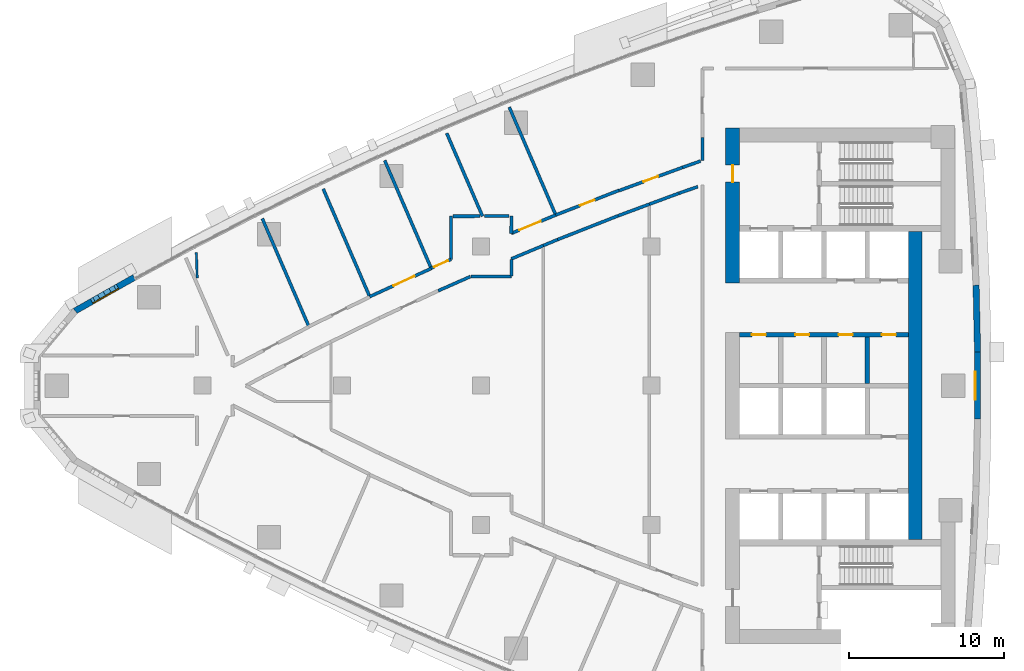
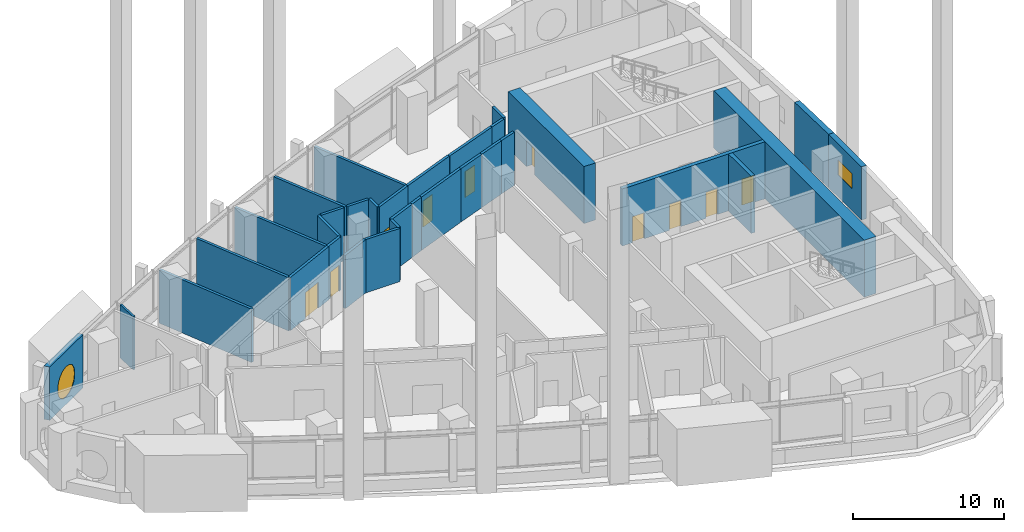
# One storey, part 10 of 17: 33 walls, 10 doors, 2 windows, 12 openings.
"""IFC4 building model written with IfcOpenShell, lengths in metres."""

from ifc_helpers import new_model, si_unit, direction, frame, frame_2d, origin, place, context, subcontext, project, spatial, polyline, rectangle, outline, extrude, material, layer, layer_set, type_object, element, fill, save


model = new_model("IFC4")

# Units and contexts
model_context = context("Model", 3, precision=1e-05, world=origin(), true_north=direction((0.0, 1.0)))
body_context = subcontext(model_context, "Body", "Model", "MODEL_VIEW")
ifc_project = project(units=[si_unit("LENGTHUNIT", "METRE"), si_unit("AREAUNIT", "SQUARE_METRE"), si_unit("VOLUMEUNIT", "CUBIC_METRE"), si_unit("PLANEANGLEUNIT", "RADIAN"), si_unit("MASSUNIT", "GRAM", prefix="KILO")], contexts=[model_context])

# Site, building, storey
site_placement = place(None, origin())
site = spatial("IfcSite", under=ifc_project, at=site_placement, CompositionType="ELEMENT")
building_placement = place(site_placement, origin())
building = spatial("IfcBuilding", under=site, at=building_placement, Name="Ostrand Prow Hotel Tower", CompositionType="ELEMENT")
storey_placement = place(building_placement, frame((0.0, 0.0, 125.60009765625)))
storey = spatial("IfcBuildingStorey", under=building, at=storey_placement, Name="L30", CompositionType="ELEMENT", Elevation=125.60009765625)

# Wall, openings, doors
ifc_material_1 = material(Name="Concrete C70/85", Category="concrete")
ifc_layer_1 = layer(ifc_material_1, 0.300048828125)
ifc_layer_set_1 = layer_set([ifc_layer_1], Name="Concrete C70/85")
wall_type_1 = type_object("IfcWallType", Name="Core wall 300 C70/85", PredefinedType="SHEAR", material=ifc_layer_set_1)
wall_1_placement = place(storey_placement, frame((50.699951171875, 3.300048828125, 0.0), z_axis=(0.0, 0.0, 1.0), x_axis=(1.0, 0.0, 0.0)))
wall_1 = element("IfcWall", 1, at=wall_1_placement, inside=storey, type_object=wall_type_1, Name="Core wall PW-L1-N", PredefinedType="SHEAR", context=body_context, shape_type="SweptSolid", body=[
    extrude(rectangle(XDim=10.900146484375, YDim=0.300048828125, at=frame_2d((5.4501953125, 0.0))), origin(), (0.0, 0.0, 1.0), 4.599853515625),
])
opening_1_placement = place(wall_1_placement, frame((0.800048828125, 0.0, 0.0)))
opening_1 = element("IfcOpeningElement", 2, at=opening_1_placement, cuts=wall_1, Name="Opening FD2", PredefinedType="OPENING", context=body_context, shape_type="SweptSolid", body=[
    extrude(rectangle(XDim=0.89990234375, YDim=2.10009765625, at=frame_2d((0.449951171875, 1.050048828125))), frame((0.0, 0.159912109375, 0.0), z_axis=(0.0, -1.0, 0.0), x_axis=(1.0, 0.0, 0.0)), (0.0, 0.0, 1.0), 0.320068359375),
])
opening_2_placement = place(wall_1_placement, frame((3.60009765625, 0.0, 0.0)))
opening_2 = element("IfcOpeningElement", 3, at=opening_2_placement, cuts=wall_1, Name="Opening FD2", PredefinedType="OPENING", context=body_context, shape_type="SweptSolid", body=[
    extrude(rectangle(XDim=0.89990234375, YDim=2.10009765625, at=frame_2d((0.449951171875, 1.050048828125))), frame((0.0, 0.159912109375, 0.0), z_axis=(0.0, -1.0, 0.0), x_axis=(1.0, 0.0, 0.0)), (0.0, 0.0, 1.0), 0.320068359375),
])
opening_3_placement = place(wall_1_placement, frame((6.39990234375, 0.0, 0.0)))
opening_3 = element("IfcOpeningElement", 4, at=opening_3_placement, cuts=wall_1, Name="Opening FD2", PredefinedType="OPENING", context=body_context, shape_type="SweptSolid", body=[
    extrude(rectangle(XDim=0.89990234375, YDim=2.10009765625, at=frame_2d((0.449951171875, 1.050048828125))), frame((0.0, 0.159912109375, 0.0), z_axis=(0.0, -1.0, 0.0), x_axis=(1.0, 0.0, 0.0)), (0.0, 0.0, 1.0), 0.320068359375),
])
opening_4_placement = place(wall_1_placement, frame((9.199951171875, 0.0, 0.0)))
opening_4 = element("IfcOpeningElement", 5, at=opening_4_placement, cuts=wall_1, Name="Opening FD2", PredefinedType="OPENING", context=body_context, shape_type="SweptSolid", body=[
    extrude(rectangle(XDim=0.89990234375, YDim=2.10009765625, at=frame_2d((0.449951171875, 1.050048828125))), frame((0.0, 0.159912109375, 0.0), z_axis=(0.0, -1.0, 0.0), x_axis=(1.0, 0.0, 0.0)), (0.0, 0.0, 1.0), 0.320068359375),
])
ifc_material_2 = material(Name="Steel fire door", Category="steel")
door_type_1 = type_object("IfcDoorType", Name="Fire door 900 EI120", OperationType="SINGLE_SWING_LEFT", PredefinedType="DOOR", material=ifc_material_2)
door_1_placement = place(opening_1_placement, origin())
door_1 = element("IfcDoor", 6, at=door_1_placement, inside=storey, type_object=door_type_1, Name="DOOR", OperationType="SINGLE_SWING_LEFT", OverallHeight=2.10009765625, OverallWidth=0.89990234375, PredefinedType="DOOR", context=body_context, shape_type="SweptSolid", body=[
    extrude(rectangle(XDim=0.89990234375, YDim=2.10009765625, at=frame_2d((0.449951171875, 1.050048828125))), frame((0.0, 0.02490234375, 0.0), z_axis=(0.0, -1.0, 0.0), x_axis=(1.0, 0.0, 0.0)), (0.0, 0.0, 1.0), 0.050048828125),
])
fill(opening_1, door_1)
door_2_placement = place(opening_2_placement, origin())
door_2 = element("IfcDoor", 7, at=door_2_placement, inside=storey, type_object=door_type_1, Name="DOOR", OperationType="SINGLE_SWING_LEFT", OverallHeight=2.10009765625, OverallWidth=0.89990234375, PredefinedType="DOOR", context=body_context, shape_type="SweptSolid", body=[
    extrude(rectangle(XDim=0.89990234375, YDim=2.10009765625, at=frame_2d((0.449951171875, 1.050048828125))), frame((0.0, 0.02490234375, 0.0), z_axis=(0.0, -1.0, 0.0), x_axis=(1.0, 0.0, 0.0)), (0.0, 0.0, 1.0), 0.050048828125),
])
fill(opening_2, door_2)
door_3_placement = place(opening_3_placement, origin())
door_3 = element("IfcDoor", 8, at=door_3_placement, inside=storey, type_object=door_type_1, Name="DOOR", OperationType="SINGLE_SWING_LEFT", OverallHeight=2.10009765625, OverallWidth=0.89990234375, PredefinedType="DOOR", context=body_context, shape_type="SweptSolid", body=[
    extrude(rectangle(XDim=0.89990234375, YDim=2.10009765625, at=frame_2d((0.449951171875, 1.050048828125))), frame((0.0, 0.02490234375, 0.0), z_axis=(0.0, -1.0, 0.0), x_axis=(1.0, 0.0, 0.0)), (0.0, 0.0, 1.0), 0.050048828125),
])
fill(opening_3, door_3)
door_4_placement = place(opening_4_placement, origin())
door_4 = element("IfcDoor", 9, at=door_4_placement, inside=storey, type_object=door_type_1, Name="DOOR", OperationType="SINGLE_SWING_LEFT", OverallHeight=2.10009765625, OverallWidth=0.89990234375, PredefinedType="DOOR", context=body_context, shape_type="SweptSolid", body=[
    extrude(rectangle(XDim=0.89990234375, YDim=2.10009765625, at=frame_2d((0.449951171875, 1.050048828125))), frame((0.0, 0.02490234375, 0.0), z_axis=(0.0, -1.0, 0.0), x_axis=(1.0, 0.0, 0.0)), (0.0, 0.0, 1.0), 0.050048828125),
])
fill(opening_4, door_4)

# Wall
wall_2_placement = place(storey_placement, frame((58.949951171875, 0.14990234375, 0.0), z_axis=(0.0, 0.0, 1.0), x_axis=(0.0, 1.0, 0.0)))
element("IfcWall", 10, at=wall_2_placement, inside=storey, type_object=wall_type_1, Name="Core wall PW-R3-NB", PredefinedType="SHEAR", context=body_context, shape_type="SweptSolid", body=[
    extrude(rectangle(XDim=3.0, YDim=0.300048828125, at=frame_2d((1.5, 0.0))), origin(), (0.0, 0.0, 1.0), 4.599853515625),
])

# Wall, opening, door
ifc_material_3 = material(Name="Concrete C70/85", Category="concrete")
ifc_layer_2 = layer(ifc_material_3, 0.89990234375)
ifc_layer_set_2 = layer_set([ifc_layer_2], Name="Concrete C70/85")
wall_type_2 = type_object("IfcWallType", Name="Core wall 900 C70/85", PredefinedType="SHEAR", material=ifc_layer_set_2)
wall_3_placement = place(storey_placement, frame((50.25, 6.64990234375, 0.0), z_axis=(0.0, 0.0, 1.0), x_axis=(0.0, 1.0, 0.0)))
wall_3 = element("IfcWall", 11, at=wall_3_placement, inside=storey, type_object=wall_type_2, Name="Core wall CW-W-N", PredefinedType="SHEAR", context=body_context, shape_type="SweptSolid", body=[
    extrude(rectangle(XDim=10.0, YDim=0.89990234375, at=frame_2d((5.0, 0.0))), origin(), (0.0, 0.0, 1.0), 4.599853515625),
])
opening_5_placement = place(wall_3_placement, frame((6.5, 0.0, 0.0)))
opening_5 = element("IfcOpeningElement", 12, at=opening_5_placement, cuts=wall_3, Name="Opening FD1", PredefinedType="OPENING", context=body_context, shape_type="SweptSolid", body=[
    extrude(rectangle(XDim=1.10009765625, YDim=2.10009765625, at=frame_2d((0.550048828125, 1.050048828125))), frame((0.0, 0.4599609375, 0.0), z_axis=(0.0, -1.0, 0.0), x_axis=(1.0, 0.0, 0.0)), (0.0, 0.0, 1.0), 0.919921875),
])
ifc_material_4 = material(Name="Steel fire door", Category="steel")
door_type_2 = type_object("IfcDoorType", Name="Fire door 1100 EI120", OperationType="SINGLE_SWING_RIGHT", PredefinedType="DOOR", material=ifc_material_4)
door_5_placement = place(opening_5_placement, origin())
door_5 = element("IfcDoor", 13, at=door_5_placement, inside=storey, type_object=door_type_2, Name="FIRE DOOR", OperationType="SINGLE_SWING_RIGHT", OverallHeight=2.10009765625, OverallWidth=1.10009765625, PredefinedType="DOOR", context=body_context, shape_type="SweptSolid", body=[
    extrude(rectangle(XDim=1.10009765625, YDim=2.10009765625, at=frame_2d((0.550048828125, 1.050048828125))), frame((0.0, 0.02490234375, 0.0), z_axis=(0.0, -1.0, 0.0), x_axis=(1.0, 0.0, 0.0)), (0.0, 0.0, 1.0), 0.050048828125),
])
fill(opening_5, door_5)

# Walls
wall_4_placement = place(storey_placement, frame((62.050048828125, -9.949951171875, 0.0), z_axis=(0.0, 0.0, 1.0), x_axis=(0.0, 1.0, 0.0)))
element("IfcWall", 14, at=wall_4_placement, inside=storey, type_object=wall_type_2, Name="Core wall CW-E-C", PredefinedType="SHEAR", context=body_context, shape_type="SweptSolid", body=[
    extrude(rectangle(XDim=19.89990234375, YDim=0.89990234375, at=frame_2d((9.949951171875, 0.0))), origin(), (0.0, 0.0, 1.0), 4.599853515625),
])
ifc_material_5 = material(Name="Plasterboard partition")
ifc_layer_3 = layer(ifc_material_5, 0.14990234375)
ifc_layer_set_3 = layer_set([ifc_layer_3], Name="Plasterboard partition")
wall_type_3 = type_object("IfcWallType", Name="Partition 150 room partition", PredefinedType="PARTITIONING", material=ifc_layer_set_3)
wall_5_placement = place(storey_placement, frame((15.603759765625, 8.60888671875, 0.0), z_axis=(0.0, 0.0, 1.0), x_axis=(0.033196927484, -0.999448830109, 0.0)))
element("IfcWall", 15, at=wall_5_placement, inside=storey, type_object=wall_type_3, Name="ROOM PARTITION", PredefinedType="PARTITIONING", context=body_context, shape_type="SweptSolid", body=[
    extrude(rectangle(XDim=1.65478515625, YDim=0.14990234375, at=frame_2d((0.827392578125, 0.0))), origin(), (0.0, 0.0, 1.0), 4.2998046875),
])

# Wall, opening, door
ifc_material_6 = material(Name="Plasterboard partition")
ifc_layer_4 = layer(ifc_material_6, 0.199951171875)
ifc_layer_set_4 = layer_set([ifc_layer_4], Name="Plasterboard partition")
wall_type_4 = type_object("IfcWallType", Name="Partition 200 corridor wall", PredefinedType="PARTITIONING", material=ifc_layer_set_4)
wall_6_placement = place(storey_placement, frame((26.80322265625, 5.7529296875, 0.0), z_axis=(0.0, 0.0, 1.0), x_axis=(0.90910092787, 0.416575926987, 0.0)))
wall_6 = element("IfcWall", 16, at=wall_6_placement, inside=storey, type_object=wall_type_4, Name="CORRIDOR WALL", PredefinedType="PARTITIONING", context=body_context, shape_type="SweptSolid", body=[
    extrude(rectangle(XDim=4.375, YDim=0.199951171875, at=frame_2d((2.1875, 0.0))), origin(), (0.0, 0.0, 1.0), 4.2998046875),
])
opening_6_placement = place(wall_6_placement, frame((1.6875, 0.0, 0.0)))
opening_6 = element("IfcOpeningElement", 17, at=opening_6_placement, cuts=wall_6, Name="Opening D15", PredefinedType="OPENING", context=body_context, shape_type="SweptSolid", body=[
    extrude(rectangle(XDim=1.5, YDim=2.10009765625, at=frame_2d((0.75, 1.050048828125))), frame((0.0, 0.10986328125, 0.0), z_axis=(0.0, -1.0, 0.0), x_axis=(1.0, 0.0, 0.0)), (0.0, 0.0, 1.0), 0.219970703125),
])
ifc_material_7 = material(Name="Timber door leaf", Category="wood")
door_type_3 = type_object("IfcDoorType", Name="Double door 1500", OperationType="DOUBLE_DOOR_SINGLE_SWING", PredefinedType="DOOR", material=ifc_material_7)
door_6_placement = place(opening_6_placement, origin())
door_6 = element("IfcDoor", 18, at=door_6_placement, inside=storey, type_object=door_type_3, Name="DOOR", OperationType="DOUBLE_DOOR_SINGLE_SWING", OverallHeight=2.10009765625, OverallWidth=1.5, PredefinedType="DOOR", context=body_context, shape_type="SweptSolid", body=[
    extrude(rectangle(XDim=1.5, YDim=2.10009765625, at=frame_2d((0.75, 1.050048828125))), frame((0.0, 0.02490234375, 0.0), z_axis=(0.0, -1.0, 0.0), x_axis=(1.0, 0.0, 0.0)), (0.0, 0.0, 1.0), 0.050048828125),
])
fill(opening_6, door_6)

wall_7_placement = place(storey_placement, frame((32.050048828125, 8.15673828125, 0.0), z_axis=(0.0, 0.0, 1.0), x_axis=(-0.915155082005, -0.403101942293, 0.0)))
wall_7 = element("IfcWall", 19, at=wall_7_placement, inside=storey, type_object=wall_type_4, Name="CORRIDOR WALL", PredefinedType="PARTITIONING", context=body_context, shape_type="SweptSolid", body=[
    extrude(rectangle(XDim=1.39599609375, YDim=0.199951171875, at=frame_2d((0.697998046875, 0.0))), origin(), (0.0, 0.0, 1.0), 4.2998046875),
])
opening_7_placement = place(wall_7_placement, frame((0.199951171875, 0.0, 0.0)))
opening_7 = element("IfcOpeningElement", 20, at=opening_7_placement, cuts=wall_7, Name="Opening D1R", PredefinedType="OPENING", context=body_context, shape_type="SweptSolid", body=[
    extrude(rectangle(XDim=1.0, YDim=2.10009765625, at=frame_2d((0.5, 1.050048828125))), frame((0.0, 0.10986328125, 0.0), z_axis=(0.0, -1.0, 0.0), x_axis=(1.0, 0.0, 0.0)), (0.0, 0.0, 1.0), 0.219970703125),
])
ifc_material_8 = material(Name="Timber door leaf", Category="wood")
door_type_4 = type_object("IfcDoorType", Name="Guest room door 1000 right", OperationType="SINGLE_SWING_RIGHT", PredefinedType="DOOR", material=ifc_material_8)
door_7_placement = place(opening_7_placement, origin())
door_7 = element("IfcDoor", 21, at=door_7_placement, inside=storey, type_object=door_type_4, Name="DOOR", OperationType="SINGLE_SWING_RIGHT", OverallHeight=2.10009765625, OverallWidth=1.0, PredefinedType="DOOR", context=body_context, shape_type="SweptSolid", body=[
    extrude(rectangle(XDim=1.0, YDim=2.10009765625, at=frame_2d((0.5, 1.050048828125))), frame((0.0, 0.02490234375, 0.0), z_axis=(0.0, -1.0, 0.0), x_axis=(1.0, 0.0, 0.0)), (0.0, 0.0, 1.0), 0.050048828125),
])
fill(opening_7, door_7)

wall_8_placement = place(storey_placement, frame((38.824462890625, 11.027587890625, 0.0), z_axis=(0.0, 0.0, 1.0), x_axis=(-0.924238544028, -0.381815549359, 0.0)))
wall_8 = element("IfcWall", 22, at=wall_8_placement, inside=storey, type_object=wall_type_4, Name="CORRIDOR WALL", PredefinedType="PARTITIONING", context=body_context, shape_type="SweptSolid", body=[
    extrude(rectangle(XDim=3.110107421875, YDim=0.199951171875, at=frame_2d((1.55517578125, 0.0))), origin(), (0.0, 0.0, 1.0), 4.2998046875),
])
opening_8_placement = place(wall_8_placement, frame((1.054931640625, 0.0, 0.0)))
opening_8 = element("IfcOpeningElement", 23, at=opening_8_placement, cuts=wall_8, Name="Opening D15", PredefinedType="OPENING", context=body_context, shape_type="SweptSolid", body=[
    extrude(rectangle(XDim=1.5, YDim=2.10009765625, at=frame_2d((0.75, 1.050048828125))), frame((0.0, 0.10986328125, 0.0), z_axis=(0.0, -1.0, 0.0), x_axis=(1.0, 0.0, 0.0)), (0.0, 0.0, 1.0), 0.219970703125),
])
door_8_placement = place(opening_8_placement, origin())
door_8 = element("IfcDoor", 24, at=door_8_placement, inside=storey, type_object=door_type_3, Name="DOOR", OperationType="DOUBLE_DOOR_SINGLE_SWING", OverallHeight=2.10009765625, OverallWidth=1.5, PredefinedType="DOOR", context=body_context, shape_type="SweptSolid", body=[
    extrude(rectangle(XDim=1.5, YDim=2.10009765625, at=frame_2d((0.75, 1.050048828125))), frame((0.0, 0.02490234375, 0.0), z_axis=(0.0, -1.0, 0.0), x_axis=(1.0, 0.0, 0.0)), (0.0, 0.0, 1.0), 0.050048828125),
])
fill(opening_8, door_8)

wall_9_placement = place(storey_placement, frame((42.900390625, 12.617431640625, 0.0), z_axis=(0.0, 0.0, 1.0), x_axis=(-0.931636608363, -0.363391290426, 0.0)))
wall_9 = element("IfcWall", 25, at=wall_9_placement, inside=storey, type_object=wall_type_4, Name="CORRIDOR WALL", PredefinedType="PARTITIONING", context=body_context, shape_type="SweptSolid", body=[
    extrude(rectangle(XDim=4.375, YDim=0.199951171875, at=frame_2d((2.1875, 0.0))), origin(), (0.0, 0.0, 1.0), 4.2998046875),
])
opening_9_placement = place(wall_9_placement, frame((1.6875, 0.0, 0.0)))
opening_9 = element("IfcOpeningElement", 26, at=opening_9_placement, cuts=wall_9, Name="Opening D1R", PredefinedType="OPENING", context=body_context, shape_type="SweptSolid", body=[
    extrude(rectangle(XDim=1.0, YDim=2.10009765625, at=frame_2d((0.5, 1.050048828125))), frame((0.0, 0.10986328125, 0.0), z_axis=(0.0, -1.0, 0.0), x_axis=(1.0, 0.0, 0.0)), (0.0, 0.0, 1.0), 0.219970703125),
])
door_9_placement = place(opening_9_placement, origin())
door_9 = element("IfcDoor", 27, at=door_9_placement, inside=storey, type_object=door_type_4, Name="DOOR", OperationType="SINGLE_SWING_RIGHT", OverallHeight=2.10009765625, OverallWidth=1.0, PredefinedType="DOOR", context=body_context, shape_type="SweptSolid", body=[
    extrude(rectangle(XDim=1.0, YDim=2.10009765625, at=frame_2d((0.5, 1.050048828125))), frame((0.0, 0.02490234375, 0.0), z_axis=(0.0, -1.0, 0.0), x_axis=(1.0, 0.0, 0.0)), (0.0, 0.0, 1.0), 0.050048828125),
])
fill(opening_9, door_9)

# Walls
wall_10_placement = place(storey_placement, frame((31.231201171875, 6.135009765625, 0.0), z_axis=(0.0, 0.0, 1.0), x_axis=(0.915102334452, 0.403221672881, 0.0)))
element("IfcWall", 28, at=wall_10_placement, inside=storey, type_object=wall_type_4, Name="CORRIDOR WALL", PredefinedType="PARTITIONING", context=body_context, shape_type="SweptSolid", body=[
    extrude(rectangle(XDim=2.269287109375, YDim=0.199951171875, at=frame_2d((1.134765625, 0.0))), origin(), (0.0, 0.0, 1.0), 4.2998046875),
])
wall_11_placement = place(storey_placement, frame((35.949951171875, 8.193115234375, 0.0), z_axis=(0.0, 0.0, 1.0), x_axis=(0.92299615886, 0.384809161441, 0.0)))
element("IfcWall", 29, at=wall_11_placement, inside=storey, type_object=wall_type_4, Name="CORRIDOR WALL", PredefinedType="PARTITIONING", context=body_context, shape_type="SweptSolid", body=[
    extrude(rectangle(XDim=2.236328125, YDim=0.199951171875, at=frame_2d((1.1181640625, 0.0))), origin(), (0.0, 0.0, 1.0), 4.2998046875),
])
wall_12_placement = place(storey_placement, frame((38.943115234375, 9.44091796875, 0.0), z_axis=(0.0, 0.0, 1.0), x_axis=(0.930576677263, 0.36609704688, 0.0)))
element("IfcWall", 30, at=wall_12_placement, inside=storey, type_object=wall_type_4, Name="CORRIDOR WALL", PredefinedType="PARTITIONING", context=body_context, shape_type="SweptSolid", body=[
    extrude(rectangle(XDim=4.1953125, YDim=0.199951171875, at=frame_2d((2.09765625, 0.0))), origin(), (0.0, 0.0, 1.0), 4.2998046875),
])
wall_13_placement = place(storey_placement, frame((42.84716796875, 10.976806640625, 0.0), z_axis=(0.0, 0.0, 1.0), x_axis=(0.937739210033, 0.347340141601, 0.0)))
element("IfcWall", 31, at=wall_13_placement, inside=storey, type_object=wall_type_4, Name="CORRIDOR WALL", PredefinedType="PARTITIONING", context=body_context, shape_type="SweptSolid", body=[
    extrude(rectangle(XDim=2.158447265625, YDim=0.199951171875, at=frame_2d((1.0791015625, 0.0))), origin(), (0.0, 0.0, 1.0), 4.2998046875),
])
wall_14_placement = place(storey_placement, frame((38.01416015625, 9.0537109375, 0.0), z_axis=(0.0, 0.0, 1.0), x_axis=(0.923026676209, 0.384735954919, 0.0)))
element("IfcWall", 32, at=wall_14_placement, inside=storey, type_object=wall_type_4, Name="CORRIDOR WALL", PredefinedType="PARTITIONING", context=body_context, shape_type="SweptSolid", body=[
    extrude(rectangle(XDim=1.00634765625, YDim=0.199951171875, at=frame_2d((0.503173828125, 0.0))), origin(), (0.0, 0.0, 1.0), 4.2998046875),
])
wall_15_placement = place(storey_placement, frame((44.871337890625, 11.7265625, 0.0), z_axis=(0.0, 0.0, 1.0), x_axis=(0.937725623728, 0.347376819323, 0.0)))
element("IfcWall", 33, at=wall_15_placement, inside=storey, type_object=wall_type_4, Name="CORRIDOR WALL", PredefinedType="PARTITIONING", context=body_context, shape_type="SweptSolid", body=[
    extrude(rectangle(XDim=2.036865234375, YDim=0.199951171875, at=frame_2d((1.0185546875, 0.0))), origin(), (0.0, 0.0, 1.0), 4.2998046875),
])

# Wall, opening, door
wall_16_placement = place(storey_placement, frame((47.0205078125, 14.105224609375, 0.0), z_axis=(0.0, 0.0, 1.0), x_axis=(-0.939048163707, -0.343785610866, 0.0)))
wall_16 = element("IfcWall", 34, at=wall_16_placement, inside=storey, type_object=wall_type_4, Name="CORRIDOR WALL", PredefinedType="PARTITIONING", context=body_context, shape_type="SweptSolid", body=[
    extrude(rectangle(XDim=4.37451171875, YDim=0.199951171875, at=frame_2d((2.187255859375, 0.0))), origin(), (0.0, 0.0, 1.0), 4.2998046875),
])
opening_10_placement = place(wall_16_placement, frame((1.687255859375, 0.0, 0.0)))
opening_10 = element("IfcOpeningElement", 35, at=opening_10_placement, cuts=wall_16, Name="Opening D1", PredefinedType="OPENING", context=body_context, shape_type="SweptSolid", body=[
    extrude(rectangle(XDim=1.0, YDim=2.10009765625, at=frame_2d((0.5, 1.050048828125))), frame((0.0, 0.10986328125, 0.0), z_axis=(0.0, -1.0, 0.0), x_axis=(1.0, 0.0, 0.0)), (0.0, 0.0, 1.0), 0.219970703125),
])
ifc_material_9 = material(Name="Timber door leaf", Category="wood")
door_type_5 = type_object("IfcDoorType", Name="Guest room door 1000", OperationType="SINGLE_SWING_LEFT", PredefinedType="DOOR", material=ifc_material_9)
door_10_placement = place(opening_10_placement, origin())
door_10 = element("IfcDoor", 36, at=door_10_placement, inside=storey, type_object=door_type_5, Name="DOOR", OperationType="SINGLE_SWING_LEFT", OverallHeight=2.10009765625, OverallWidth=1.0, PredefinedType="DOOR", context=body_context, shape_type="SweptSolid", body=[
    extrude(rectangle(XDim=1.0, YDim=2.10009765625, at=frame_2d((0.5, 1.050048828125))), frame((0.0, 0.02490234375, 0.0), z_axis=(0.0, -1.0, 0.0), x_axis=(1.0, 0.0, 0.0)), (0.0, 0.0, 1.0), 0.050048828125),
])
fill(opening_10, door_10)

# Walls
wall_17_placement = place(storey_placement, frame((46.78125, 12.43408203125, 0.0), z_axis=(0.0, 0.0, 1.0), x_axis=(0.944517215109, 0.328461916152, 0.0)))
element("IfcWall", 37, at=wall_17_placement, inside=storey, type_object=wall_type_4, Name="CORRIDOR WALL", PredefinedType="PARTITIONING", context=body_context, shape_type="SweptSolid", body=[
    extrude(rectangle(XDim=1.290283203125, YDim=0.199951171875, at=frame_2d((0.64501953125, 0.0))), origin(), (0.0, 0.0, 1.0), 4.2998046875),
])
wall_18_placement = place(storey_placement, frame((33.347412109375, 7.044921875, 0.0), z_axis=(0.0, 0.0, 1.0), x_axis=(0.999999982426, 0.000187476562, 0.0)))
element("IfcWall", 38, at=wall_18_placement, inside=storey, type_object=wall_type_4, Name="CORRIDOR WALL", PredefinedType="PARTITIONING", context=body_context, shape_type="SweptSolid", body=[
    extrude(rectangle(XDim=2.6044921875, YDim=0.199951171875, at=frame_2d((1.30224609375, 0.0))), origin(), (0.0, 0.0, 1.0), 4.2998046875),
])
wall_19_placement = place(storey_placement, frame((35.951904296875, 7.08544921875, 0.0), z_axis=(0.0, 0.0, 1.0), x_axis=(0.002742846825, 0.999996238389, 0.0)))
element("IfcWall", 39, at=wall_19_placement, inside=storey, type_object=wall_type_4, Name="CORRIDOR WALL", PredefinedType="PARTITIONING", context=body_context, shape_type="SweptSolid", body=[
    extrude(rectangle(XDim=1.068115234375, YDim=0.199951171875, at=frame_2d((0.5341796875, 0.0))), origin(), (0.0, 0.0, 1.0), 4.2998046875),
])
wall_20_placement = place(storey_placement, frame((32.04638671875, 10.95361328125, 0.0), z_axis=(0.0, 0.0, 1.0), x_axis=(0.00130935642, -0.999999142793, 0.0)))
element("IfcWall", 40, at=wall_20_placement, inside=storey, type_object=wall_type_4, Name="CORRIDOR WALL", PredefinedType="PARTITIONING", context=body_context, shape_type="SweptSolid", body=[
    extrude(rectangle(XDim=2.796875, YDim=0.199951171875, at=frame_2d((1.3984375, 0.0))), origin(), (0.0, 0.0, 1.0), 4.2998046875),
])
wall_21_placement = place(storey_placement, frame((35.949951171875, 9.840087890625, 0.0), z_axis=(0.0, 0.0, 1.0), x_axis=(0.00262983969, 0.999996541966, 0.0)))
element("IfcWall", 41, at=wall_21_placement, inside=storey, type_object=wall_type_4, Name="CORRIDOR WALL", PredefinedType="PARTITIONING", context=body_context, shape_type="SweptSolid", body=[
    extrude(rectangle(XDim=1.114013671875, YDim=0.199951171875, at=frame_2d((0.55712890625, 0.0))), origin(), (0.0, 0.0, 1.0), 4.2998046875),
])
wall_22_placement = place(storey_placement, frame((48.294921875, 16.0498046875, 0.0), z_axis=(0.0, 0.0, 1.0), x_axis=(0.0, -1.0, 0.0)))
element("IfcWall", 42, at=wall_22_placement, inside=storey, type_object=wall_type_4, Name="CORRIDOR WALL", PredefinedType="PARTITIONING", context=body_context, shape_type="SweptSolid", body=[
    extrude(rectangle(XDim=1.49609375, YDim=0.199951171875, at=frame_2d((0.748046875, 0.0))), origin(), (0.0, 0.0, 1.0), 4.2998046875),
])
wall_23_placement = place(storey_placement, frame((48.181884765625, 14.513916015625, 0.0), z_axis=(0.0, 0.0, 1.0), x_axis=(-0.943297443501, -0.331948690439, 0.0)))
element("IfcWall", 43, at=wall_23_placement, inside=storey, type_object=wall_type_4, Name="CORRIDOR WALL", PredefinedType="PARTITIONING", context=body_context, shape_type="SweptSolid", body=[
    extrude(rectangle(XDim=1.231201171875, YDim=0.199951171875, at=frame_2d((0.61572265625, 0.0))), origin(), (0.0, 0.0, 1.0), 4.2998046875),
])
ifc_material_10 = material(Name="Plasterboard partition")
ifc_layer_5 = layer(ifc_material_10, 0.199951171875)
ifc_layer_set_5 = layer_set([ifc_layer_5], Name="Plasterboard partition")
wall_type_5 = type_object("IfcWallType", Name="Partition 200 key partition", PredefinedType="PARTITIONING", material=ifc_layer_set_5)
wall_24_placement = place(storey_placement, frame((22.87890625, 3.807861328125, 0.0), z_axis=(0.0, 0.0, 1.0), x_axis=(-0.395985583575, 0.918256727501, 0.0)))
element("IfcWall", 44, at=wall_24_placement, inside=storey, type_object=wall_type_5, Name="KEY PARTITION", PredefinedType="PARTITIONING", context=body_context, shape_type="SweptSolid", body=[
    extrude(rectangle(XDim=7.611083984375, YDim=0.199951171875, at=frame_2d((3.8056640625, 0.0))), origin(), (0.0, 0.0, 1.0), 4.2998046875),
])
wall_25_placement = place(storey_placement, frame((26.811279296875, 5.734619140625, 0.0), z_axis=(0.0, 0.0, 1.0), x_axis=(-0.395995556294, 0.918252426839, 0.0)))
element("IfcWall", 45, at=wall_25_placement, inside=storey, type_object=wall_type_5, Name="KEY PARTITION", PredefinedType="PARTITIONING", context=body_context, shape_type="SweptSolid", body=[
    extrude(rectangle(XDim=7.60302734375, YDim=0.199951171875, at=frame_2d((3.801513671875, 0.0))), origin(), (0.0, 0.0, 1.0), 4.2998046875),
])
wall_26_placement = place(storey_placement, frame((30.780517578125, 7.575439453125, 0.0), z_axis=(0.0, 0.0, 1.0), x_axis=(-0.396004020147, 0.918248776763, 0.0)))
element("IfcWall", 46, at=wall_26_placement, inside=storey, type_object=wall_type_5, Name="KEY PARTITION", PredefinedType="PARTITIONING", context=body_context, shape_type="SweptSolid", body=[
    extrude(rectangle(XDim=7.600341796875, YDim=0.199951171875, at=frame_2d((3.80029296875, 0.0))), origin(), (0.0, 0.0, 1.0), 4.2998046875),
])
wall_27_placement = place(storey_placement, frame((34.091552734375, 10.949951171875, 0.0), z_axis=(0.0, 0.0, 1.0), x_axis=(-0.395991607501, 0.918254129742, 0.0)))
element("IfcWall", 47, at=wall_27_placement, inside=storey, type_object=wall_type_5, Name="KEY PARTITION", PredefinedType="PARTITIONING", context=body_context, shape_type="SweptSolid", body=[
    extrude(rectangle(XDim=5.841064453125, YDim=0.199951171875, at=frame_2d((2.92041015625, 0.0))), origin(), (0.0, 0.0, 1.0), 4.2998046875),
])
wall_28_placement = place(storey_placement, frame((38.832275390625, 11.00927734375, 0.0), z_axis=(0.0, 0.0, 1.0), x_axis=(-0.395987603644, 0.918255856371, 0.0)))
element("IfcWall", 48, at=wall_28_placement, inside=storey, type_object=wall_type_5, Name="KEY PARTITION", PredefinedType="PARTITIONING", context=body_context, shape_type="SweptSolid", body=[
    extrude(rectangle(XDim=7.603759765625, YDim=0.199951171875, at=frame_2d((3.8017578125, 0.0))), origin(), (0.0, 0.0, 1.0), 4.2998046875),
])
wall_29_placement = place(storey_placement, frame((32.196533203125, 10.9501953125, 0.0), z_axis=(0.0, 0.0, 1.0), x_axis=(0.99999964192, 0.000846262038, 0.0)))
element("IfcWall", 49, at=wall_29_placement, inside=storey, type_object=wall_type_5, Name="KEY PARTITION", PredefinedType="PARTITIONING", context=body_context, shape_type="SweptSolid", body=[
    extrude(rectangle(XDim=1.73095703125, YDim=0.199951171875, at=frame_2d((0.865478515625, 0.0))), origin(), (0.0, 0.0, 1.0), 4.2998046875),
])
wall_30_placement = place(storey_placement, frame((34.216064453125, 10.951904296875, 0.0), z_axis=(0.0, 0.0, 1.0), x_axis=(0.999999704051, 0.000769348903, 0.0)))
element("IfcWall", 50, at=wall_30_placement, inside=storey, type_object=wall_type_5, Name="KEY PARTITION", PredefinedType="PARTITIONING", context=body_context, shape_type="SweptSolid", body=[
    extrude(rectangle(XDim=1.586669921875, YDim=0.199951171875, at=frame_2d((0.79345703125, 0.0))), origin(), (0.0, 0.0, 1.0), 4.2998046875),
])

# Wall, opening, window
ifc_material_11 = material(Name="Precast concrete C40/50", Category="concrete")
ifc_layer_6 = layer(ifc_material_11, 0.39990234375)
ifc_layer_set_6 = layer_set([ifc_layer_6], Name="Precast concrete C40/50")
wall_type_6 = type_object("IfcWallType", Name="Stone-faced precast wall 400 mm", PredefinedType="NOTDEFINED", material=ifc_layer_set_6)
wall_31_placement = place(storey_placement, frame((11.594482421875, 6.996826171875, 0.0), z_axis=(0.0, 0.0, 1.0), x_axis=(-0.870045255208, -0.492971859125, 0.0)))
wall_31 = element("IfcWall", 51, at=wall_31_placement, inside=storey, type_object=wall_type_6, Name="Stone-faced wall prow 1", PredefinedType="NOTDEFINED", context=body_context, shape_type="SweptSolid", body=[
    extrude(outline(polyline([(0.0, -0.199951171875), (4.424072265625, -0.199951171875), (4.351806640625, 0.199951171875), (0.0, 0.199951171875), (0.0, -0.199951171875)])), origin(), (0.0, 0.0, 1.0), 4.2998046875),
])
opening_11_placement = place(wall_31_placement, frame((1.093994140625, 0.0, 0.60009765625)))
opening_11 = element("IfcOpeningElement", 52, at=opening_11_placement, cuts=wall_31, Name="Opening WP2", PredefinedType="OPENING", context=body_context, shape_type="SweptSolid", body=[
    extrude(outline(polyline([(0.0, 1.35009765625), (0.083740234375, 1.77099609375), (0.322265625, 2.127685546875), (0.678955078125, 2.3662109375), (1.10009765625, 2.449951171875), (1.52099609375, 2.3662109375), (1.877685546875, 2.127685546875), (2.1162109375, 1.77099609375), (2.199951171875, 1.35009765625), (2.199951171875, 1.10009765625), (2.1162109375, 0.678955078125), (1.877685546875, 0.322265625), (1.52099609375, 0.083740234375), (1.10009765625, 0.0), (0.678955078125, 0.083740234375), (0.322265625, 0.322265625), (0.083740234375, 0.678955078125), (0.0, 1.099853515625), (0.0, 1.35009765625)])), frame((0.0, 0.2099609375, 0.0), z_axis=(0.0, -1.0, 0.0), x_axis=(1.0, 0.0, 0.0)), (0.0, 0.0, 1.0), 0.419921875),
])
ifc_material_12 = material(Name="Insulated glass in bronze frame", Category="glass")
window_type_1 = type_object("IfcWindowType", Name="Round-ended prow lounge window 2200x2450", PartitioningType="SINGLE_PANEL", PredefinedType="WINDOW", material=ifc_material_12)
window_1_placement = place(opening_11_placement, origin())
window_1 = element("IfcWindow", 53, at=window_1_placement, inside=storey, type_object=window_type_1, Name="Window prow 1.1", OverallHeight=2.449951171875, OverallWidth=2.199951171875, PartitioningType="SINGLE_PANEL", PredefinedType="WINDOW", context=body_context, shape_type="SweptSolid", body=[
    extrude(outline(polyline([(0.0, 1.35009765625), (0.083740234375, 1.77099609375), (0.322265625, 2.127685546875), (0.678955078125, 2.3662109375), (1.10009765625, 2.449951171875), (1.52099609375, 2.3662109375), (1.877685546875, 2.127685546875), (2.1162109375, 1.77099609375), (2.199951171875, 1.35009765625), (2.199951171875, 1.10009765625), (2.1162109375, 0.678955078125), (1.877685546875, 0.322265625), (1.52099609375, 0.083740234375), (1.10009765625, 0.0), (0.678955078125, 0.083740234375), (0.322265625, 0.322265625), (0.083740234375, 0.678955078125), (0.0, 1.099853515625), (0.0, 1.35009765625)])), frame((0.0, 0.169921875, 0.0), z_axis=(0.0, -1.0, 0.0), x_axis=(1.0, 0.0, 0.0)), (0.0, 0.0, 1.0), 0.06005859375),
])
fill(opening_11, window_1)

wall_32_placement = place(storey_placement, frame((66.07568359375, -2.16455078125, 0.0), z_axis=(0.0, 0.0, 1.0), x_axis=(0.0, 1.0, 0.0)))
wall_32 = element("IfcWall", 54, at=wall_32_placement, inside=storey, type_object=wall_type_6, Name="Stone-faced wall back 9", PredefinedType="NOTDEFINED", context=body_context, shape_type="SweptSolid", body=[
    extrude(outline(polyline([(-0.002197265625, -0.199951171875), (4.331298828125, -0.199951171875), (4.326904296875, 0.199951171875), (0.002197265625, 0.199951171875), (-0.002197265625, -0.199951171875)])), origin(), (0.0, 0.0, 1.0), 4.2998046875),
])
opening_12_placement = place(wall_32_placement, frame((1.264404296875, 0.0, 1.800048828125)))
opening_12 = element("IfcOpeningElement", 55, at=opening_12_placement, cuts=wall_32, Name="Opening WC1", PredefinedType="OPENING", context=body_context, shape_type="SweptSolid", body=[
    extrude(rectangle(XDim=1.800048828125, YDim=1.199951171875, at=frame_2d((0.89990234375, 0.60009765625))), frame((0.0, 0.2099609375, 0.0), z_axis=(0.0, -1.0, 0.0), x_axis=(1.0, 0.0, 0.0)), (0.0, 0.0, 1.0), 0.419921875),
])
ifc_material_13 = material(Name="Insulated glass in bronze frame", Category="glass")
window_type_2 = type_object("IfcWindowType", Name="Sky lobby clerestory window 1800x1200", PartitioningType="SINGLE_PANEL", PredefinedType="WINDOW", material=ifc_material_13)
window_2_placement = place(opening_12_placement, origin())
window_2 = element("IfcWindow", 56, at=window_2_placement, inside=storey, type_object=window_type_2, Name="Window back 9.1", OverallHeight=1.199951171875, OverallWidth=1.800048828125, PartitioningType="SINGLE_PANEL", PredefinedType="WINDOW", context=body_context, shape_type="SweptSolid", body=[
    extrude(rectangle(XDim=1.800048828125, YDim=1.199951171875, at=frame_2d((0.89990234375, 0.60009765625))), frame((0.0, 0.169921875, 0.0), z_axis=(0.0, -1.0, 0.0), x_axis=(1.0, 0.0, 0.0)), (0.0, 0.0, 1.0), 0.06005859375),
])
fill(opening_12, window_2)

# Wall
wall_33_placement = place(storey_placement, frame((66.07568359375, 2.16455078125, 0.0), z_axis=(0.0, 0.0, 1.0), x_axis=(-0.02261635063, 0.99974421763, 0.0)))
element("IfcWall", 57, at=wall_33_placement, inside=storey, type_object=wall_type_6, Name="Stone-faced wall back 10", PredefinedType="NOTDEFINED", context=body_context, shape_type="SweptSolid", body=[
    extrude(outline(polyline([(-0.002197265625, -0.199951171875), (4.3310546875, -0.199951171875), (4.32666015625, 0.199951171875), (0.002197265625, 0.199951171875), (-0.002197265625, -0.199951171875)])), origin(), (0.0, 0.0, 1.0), 4.2998046875),
])

save(model, "model.ifc")
